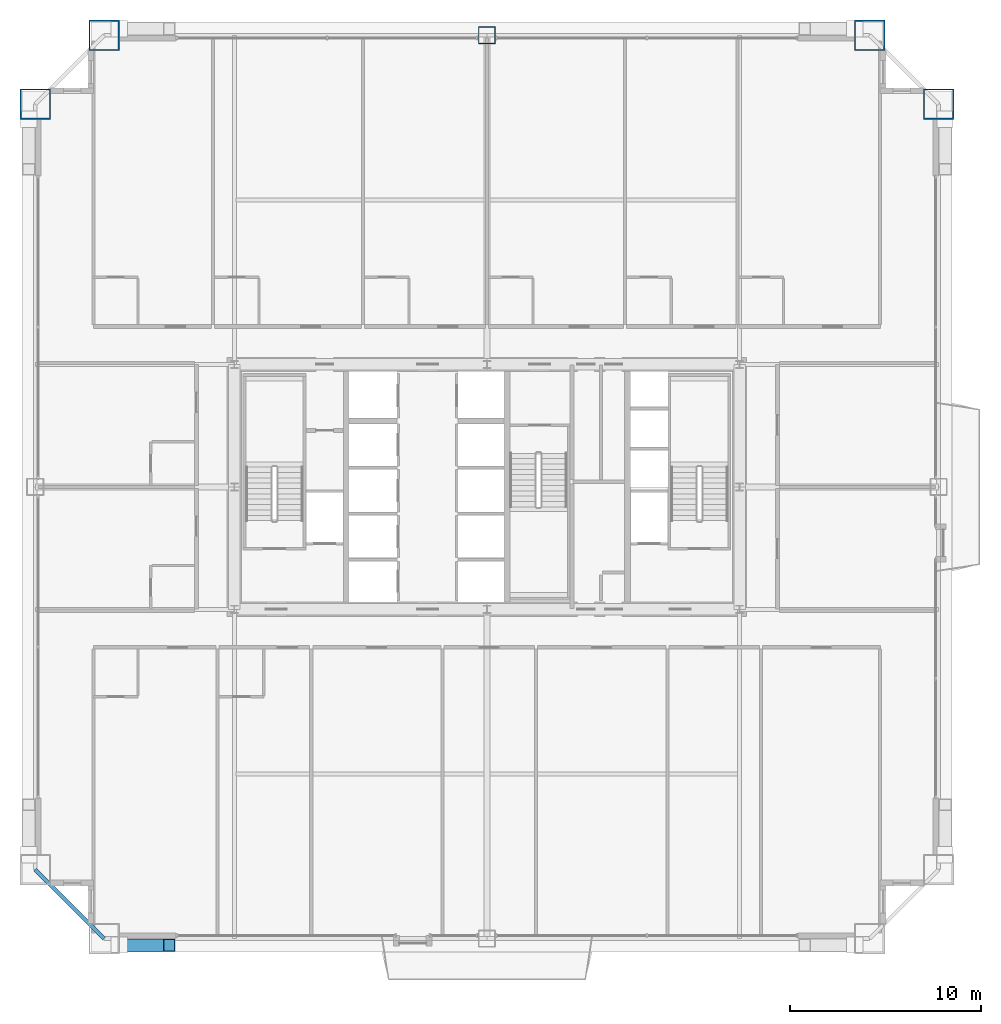
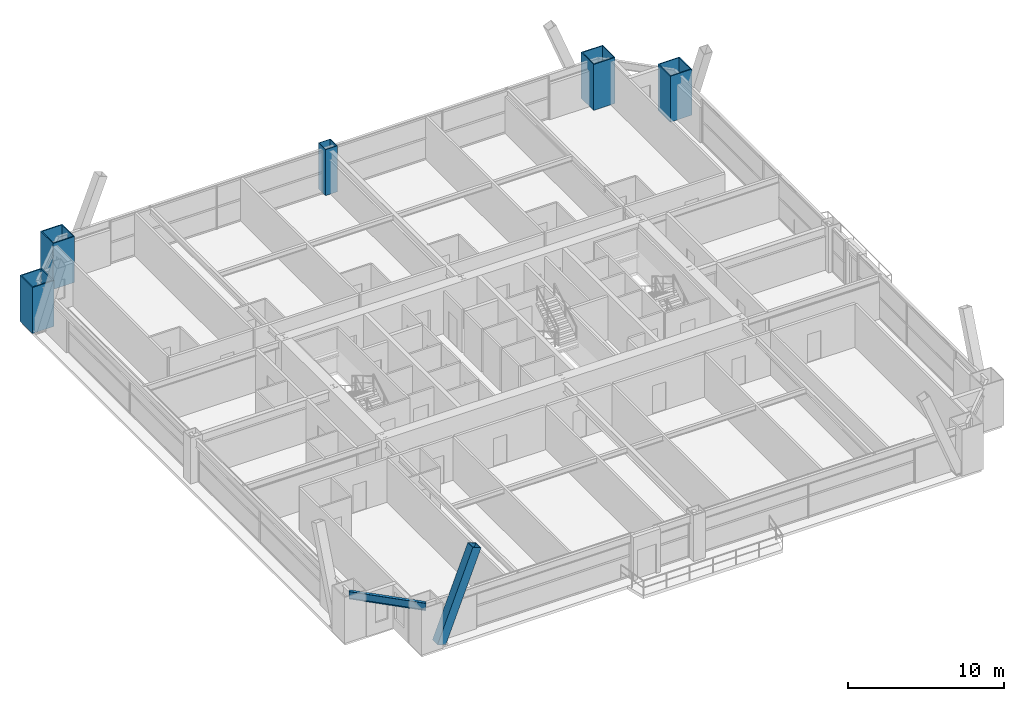
# One storey, part 3 of 43: 5 columns, 1 beam, 1 member.
"""IFC4 building model written with IfcOpenShell, lengths in metres."""

import ifcopenshell
import ifcopenshell.guid

model = None  # the IFC model being written
_history = None  # IfcOwnerHistory: only IFC2X3 demands one
_inside = {}  # id of a spatial element -> (the spatial element, [elements in it])
_under = {}  # id of a project, library or spatial element -> (it, [spatial elements below it])
_declared = {}  # id of a project -> (the project, [libraries it declares])
_typed = {}  # id of a type object -> (the type object, [elements of that type])
_made_of = {}  # id of a material, layer set ... -> (it, [elements and type objects made of it])


def new_model(schema):
    """Start an empty IFC model of exactly this schema.

    Asked for "IFC4X3", IfcOpenShell would pick the latest addendum, in which some entities
    have other attributes; the version numbers below select the first issue.
    IFC2X3 requires an IfcOwnerHistory on every rooted entity: one is made here for all.
    """
    global model, _history
    if schema == "IFC4X3":
        model = ifcopenshell.file(schema_version=(4, 3, 0, 0))
    else:
        model = ifcopenshell.file(schema=schema)
    _inside.clear()
    _under.clear()
    _declared.clear()
    _typed.clear()
    _made_of.clear()
    _history = None
    if model.schema == "IFC2X3":
        org = make("IfcOrganization", Name="unknown")
        user = make(
            "IfcPersonAndOrganization",
            ThePerson=make("IfcPerson", FamilyName="unknown"),
            TheOrganization=org,
        )
        app = make(
            "IfcApplication",
            ApplicationDeveloper=org,
            Version="unknown",
            ApplicationFullName="unknown",
            ApplicationIdentifier="unknown",
        )
        _history = make(
            "IfcOwnerHistory",
            OwningUser=user,
            OwningApplication=app,
            ChangeAction="ADDED",
            CreationDate=0,
        )
    return model


def make(cls, **values):
    """One entity of the class cls with the attributes given. An attribute that is None is left unset."""
    return model.create_entity(
        cls, **{name: value for name, value in values.items() if value is not None}
    )


def rooted(cls, **values):
    """An entity with a GlobalId (a new one), such as an element, a storey or a relation."""
    return make(cls, GlobalId=ifcopenshell.guid.new(), OwnerHistory=_history, **values)


def si_unit(unit_type, name, prefix=None):
    """IfcSIUnit, for example si_unit("LENGTHUNIT", "METRE", prefix="MILLI")."""
    return make("IfcSIUnit", UnitType=unit_type, Prefix=prefix, Name=name)


def assignment(units):
    """IfcUnitAssignment: the units of a project."""
    return None if units is None else make("IfcUnitAssignment", Units=units)


def point(xyz):
    """IfcCartesianPoint."""
    return None if xyz is None else make("IfcCartesianPoint", Coordinates=xyz)


def direction(xyz):
    """IfcDirection."""
    return None if xyz is None else make("IfcDirection", DirectionRatios=xyz)


def frame(location, z_axis=None, x_axis=None):
    """IfcAxis2Placement3D, a coordinate frame: its origin and axes. An axis left out is left unset."""
    return make(
        "IfcAxis2Placement3D",
        Location=point(location),
        Axis=direction(z_axis),
        RefDirection=direction(x_axis),
    )


def frame_2d(location, x_axis=None):
    """IfcAxis2Placement2D, a coordinate frame in the plane: its origin and x axis."""
    return make(
        "IfcAxis2Placement2D", Location=point(location), RefDirection=direction(x_axis)
    )


def origin():
    """The frame at (0, 0, 0) with its axes left unset."""
    return frame((0.0, 0.0, 0.0))


def origin_2d():
    """The frame at (0, 0) in the plane with its x axis left unset."""
    return frame_2d((0.0, 0.0))


def place(relative_to, where):
    """IfcLocalPlacement: puts the frame where relative to a parent placement (None: the world)."""
    return make(
        "IfcLocalPlacement", PlacementRelTo=relative_to, RelativePlacement=where
    )


def context(
    kind, dimensions, precision=None, world=None, true_north=None, identifier=None
):
    """IfcGeometricRepresentationContext, for example the 3D "Model" context."""
    return make(
        "IfcGeometricRepresentationContext",
        ContextIdentifier=identifier,
        ContextType=kind,
        CoordinateSpaceDimension=dimensions,
        Precision=precision,
        WorldCoordinateSystem=world,
        TrueNorth=true_north,
    )


def subcontext(parent, identifier, kind, view, scale=None):
    """IfcGeometricRepresentationSubContext, for example "Body" below "Model"."""
    return make(
        "IfcGeometricRepresentationSubContext",
        ContextIdentifier=identifier,
        ContextType=kind,
        ParentContext=parent,
        TargetScale=scale,
        TargetView=view,
    )


def project(units=None, contexts=None):
    """IfcProject with its units and contexts."""
    return rooted(
        "IfcProject",
        Name="project",
        RepresentationContexts=contexts,
        UnitsInContext=assignment(units),
    )


def spatial(cls, under=None, at=None, **own):
    """A site, building, storey or space (cls), placed at a placement, below another one or the project."""
    s = rooted(cls, ObjectPlacement=at, **own)
    if under is not None:
        _under.setdefault(under.id(), (under, []))[1].append(s)
    return s


def profile(cls, at=None, kind="AREA", **sizes):
    """A parametric profile (cls). Its sizes go by their IFC names, for example OverallWidth=200.0."""
    return make(cls, ProfileType=kind, Position=at, **sizes)


def hollow_rectangle(**sizes):
    """IfcRectangleHollowProfileDef."""
    return profile("IfcRectangleHollowProfileDef", **sizes)


def i_section(**sizes):
    """IfcIShapeProfileDef."""
    return profile("IfcIShapeProfileDef", **sizes)


def extrude(swept, where, along, depth):
    """IfcExtrudedAreaSolid: the profile swept, set in the frame where, extruded along a direction by depth."""
    return make(
        "IfcExtrudedAreaSolid",
        SweptArea=swept,
        Position=where,
        ExtrudedDirection=direction(along),
        Depth=depth,
    )


def shape(context_of_items, identifier, shape_type, items):
    """IfcShapeRepresentation: the items that make up one representation, for example the "Body"."""
    return make(
        "IfcShapeRepresentation",
        ContextOfItems=context_of_items,
        RepresentationIdentifier=identifier,
        RepresentationType=shape_type,
        Items=items,
    )


def source(mapping_origin, context_of_items, identifier, shape_type, items):
    """IfcRepresentationMap: a shape defined once, which mapped items show again and again."""
    return make(
        "IfcRepresentationMap",
        MappingOrigin=mapping_origin,
        MappedRepresentation=shape(context_of_items, identifier, shape_type, items),
    )


def transform(
    local_origin,
    x_axis=None,
    y_axis=None,
    z_axis=None,
    scale=None,
    scale2=None,
    scale3=None,
    uniform=True,
):
    """IfcCartesianTransformationOperator3D, or its non-uniform kind. x_axis, y_axis, z_axis: its Axis1, 2, 3."""
    if uniform:
        return make(
            "IfcCartesianTransformationOperator3D",
            Axis1=direction(x_axis),
            Axis2=direction(y_axis),
            LocalOrigin=point(local_origin),
            Scale=scale,
            Axis3=direction(z_axis),
        )
    return make(
        "IfcCartesianTransformationOperator3DnonUniform",
        Axis1=direction(x_axis),
        Axis2=direction(y_axis),
        LocalOrigin=point(local_origin),
        Scale=scale,
        Axis3=direction(z_axis),
        Scale2=scale2,
        Scale3=scale3,
    )


def mapped(mapping_source, mapping_target):
    """IfcMappedItem: shows the shape of a source again, moved by a transform."""
    return make(
        "IfcMappedItem", MappingSource=mapping_source, MappingTarget=mapping_target
    )


def material(Name=None, Category=None):
    """IfcMaterial."""
    return make("IfcMaterial", Name=Name, Category=Category)


def material_profile(
    of_material, cross_section, Name=None, Category=None, Priority=None
):
    """IfcMaterialProfile: a cross section and its material."""
    return make(
        "IfcMaterialProfile",
        Name=Name,
        Material=of_material,
        Profile=cross_section,
        Priority=Priority,
        Category=Category,
    )


def profile_set(profiles, Name=None, composite=None):
    """IfcMaterialProfileSet."""
    return make(
        "IfcMaterialProfileSet",
        Name=Name,
        MaterialProfiles=profiles,
        CompositeProfile=composite,
    )


def made_of(thing, what):
    """Note that an element or type object is made of a material, layer set ...; save() writes the relation."""
    if what is not None:
        _made_of.setdefault(what.id(), (what, []))[1].append(thing)
    return thing


def type_object(cls, material=None, **own):
    """A type object (cls), such as IfcWallType, which elements share."""
    return made_of(rooted(cls, **own), material)


def element(
    cls,
    number,
    at=None,
    inside=None,
    cuts=None,
    type_object=None,
    material=None,
    context=None,
    identifier="Body",
    shape_type=None,
    held_by="IfcProductDefinitionShape",
    body=None,
    shapes=None,
    **own,
):
    """One element of the class cls, such as IfcWall. Its Tag is "e" and its number.

    at: its placement. inside: the storey or other place that contains it. cuts: it is an
    opening in that element (IfcRelVoidsElement). A single representation is given by context,
    identifier, shape_type and body (its items); several are given by shapes. held_by: the class
    of the entity that holds the representations. save() writes the other relations.
    """
    e = rooted(cls, Tag="e%d" % number, ObjectPlacement=at, **own)
    if body is not None:
        shapes = [shape(context, identifier, shape_type, body)]
    if shapes is not None:
        e.Representation = make(held_by, Representations=shapes)
    if inside is not None:
        _inside.setdefault(inside.id(), (inside, []))[1].append(e)
    if cuts is not None:
        rooted(
            "IfcRelVoidsElement", RelatingBuildingElement=cuts, RelatedOpeningElement=e
        )
    if type_object is not None:
        _typed.setdefault(type_object.id(), (type_object, []))[1].append(e)
    return made_of(e, material)


def aggregate(whole, parts):
    """IfcRelAggregates: a whole, such as a stair, and the parts it consists of."""
    return rooted("IfcRelAggregates", RelatingObject=whole, RelatedObjects=parts)


def save(model, path):
    """Write the relations noted so far, then the file.

    IfcRelAggregates (storeys below a building ...), IfcRelContainedInSpatialStructure (elements
    in a storey), IfcRelDefinesByType, IfcRelAssociatesMaterial and IfcRelDeclares: one each for
    every whole, place, type object, material and project.
    """
    for whole, parts in _under.values():
        aggregate(whole, parts)
    for where, things in _inside.values():
        rooted(
            "IfcRelContainedInSpatialStructure",
            RelatedElements=things,
            RelatingStructure=where,
        )
    for kind, things in _typed.values():
        rooted("IfcRelDefinesByType", RelatedObjects=things, RelatingType=kind)
    for what, things in _made_of.values():
        rooted("IfcRelAssociatesMaterial", RelatedObjects=things, RelatingMaterial=what)
    for by, libraries in _declared.values():
        rooted("IfcRelDeclares", RelatingContext=by, RelatedDefinitions=libraries)
    model.write(path)


model = new_model("IFC4")

# Units and contexts
model_context = context("Model", 3, precision=1e-05, world=origin(), true_north=direction((0.0, 1.0)))
body_context = subcontext(model_context, "Body", "Model", "MODEL_VIEW")
ifc_project = project(units=[si_unit("LENGTHUNIT", "METRE"), si_unit("AREAUNIT", "SQUARE_METRE"), si_unit("VOLUMEUNIT", "CUBIC_METRE"), si_unit("PLANEANGLEUNIT", "RADIAN"), si_unit("MASSUNIT", "GRAM", prefix="KILO"), si_unit("THERMODYNAMICTEMPERATUREUNIT", "KELVIN"), si_unit("POWERUNIT", "WATT")], contexts=[model_context])

# Site, building, storey
site_placement = place(None, origin())
site = spatial("IfcSite", under=ifc_project, at=site_placement, CompositionType="ELEMENT")
building_placement = place(site_placement, origin())
building = spatial("IfcBuilding", under=site, at=building_placement, Name="Yuzanri Waterfront Tower", CompositionType="ELEMENT")
storey_placement = place(building_placement, frame((0.0, 0.0, 159.60009765625)))
storey = spatial("IfcBuildingStorey", under=building, at=storey_placement, Name="L42", CompositionType="ELEMENT", Elevation=159.60009765625)

# Columns
ifc_material_1 = material(Name="Steel Q390GJC", Category="steel")
ifc_material_profile_1 = material_profile(ifc_material_1, hollow_rectangle(XDim=0.89990234375, YDim=0.89990234375, WallThickness=0.0419921875, at=origin_2d()), Name="RHS 900x900x42")
ifc_profile_set_1 = profile_set([ifc_material_profile_1], Name="Steel Q390GJC")
column_type_1 = type_object("IfcColumnType", Name="Frame Column Q390GJC RHS 900x900x42", PredefinedType="COLUMN", material=ifc_profile_set_1)
shared_shape_1 = source(origin(), body_context, "Body", "SweptSolid", [
    extrude(hollow_rectangle(XDim=0.89990234375, YDim=0.89990234375, WallThickness=0.0419921875, at=origin_2d()), origin(), (0.0, 0.0, 1.0), 3.599853515625),
])
column_placement = place(storey_placement, frame((37.0, 49.39990234375, 0.0), z_axis=(0.0, 0.0, 1.0), x_axis=(1.0, 0.0, 0.0)))
element("IfcColumn", 1, at=column_placement, inside=storey, type_object=column_type_1, Name="L42 Perimeter Frame Column N2", PredefinedType="COLUMN", context=body_context, shape_type="MappedRepresentation", body=[
    mapped(shared_shape_1, transform((0.0, 0.0, 0.0), scale=1.0)),
])
ifc_material_2 = material(Name="Steel Q420GJC", Category="steel")
ifc_material_profile_2 = material_profile(ifc_material_2, hollow_rectangle(XDim=1.60009765625, YDim=1.60009765625, WallThickness=0.070068359375, at=origin_2d()), Name="RHS 1600x1600x70")
ifc_profile_set_2 = profile_set([ifc_material_profile_2], Name="Steel Q420GJC")
column_type_2 = type_object("IfcColumnType", Name="Mega Column Q420GJC RHS 1600x1600x70", PredefinedType="COLUMN", material=ifc_profile_set_2)
shared_shape_2 = source(origin(), body_context, "Body", "SweptSolid", [
    extrude(hollow_rectangle(XDim=1.60009765625, YDim=1.60009765625, WallThickness=0.070068359375, at=origin_2d()), origin(), (0.0, 0.0, 1.0), 3.599853515625),
])
for number, where, z_axis, x_axis, name in (
    (2, (17.0, 49.39990234375, 0.0), (0.0, 0.0, 1.0), (1.0, 0.0, 0.0), "L42 Perimeter Mega Column N1"),
    (3, (57.0, 49.39990234375, 0.0), (0.0, 0.0, 1.0), (1.0, 0.0, 0.0), "L42 Perimeter Mega Column N3"),
    (4, (13.39990234375, 45.800048828125, 0.0), (0.0, 0.0, 1.0), (1.0, 0.0, 0.0), "L42 Perimeter Mega Column W3"),
    (5, (60.60009765625, 45.800048828125, 0.0), (0.0, 0.0, 1.0), (1.0, 0.0, 0.0), "L42 Perimeter Mega Column E3"),
):
    element("IfcColumn", number, at=place(storey_placement, frame(where, z_axis=z_axis, x_axis=x_axis)), inside=storey, type_object=column_type_2, Name=name, PredefinedType="COLUMN", context=body_context, shape_type="MappedRepresentation", body=[
        mapped(shared_shape_2, transform((0.0, 0.0, 0.0), scale=1.0)),
    ])

# Beam
ifc_material_3 = material(Name="Steel Q355B", Category="steel")
ifc_material_profile_3 = material_profile(ifc_material_3, i_section(OverallWidth=0.199951171875, OverallDepth=0.60009765625, WebThickness=0.010986328125, FlangeThickness=0.01708984375, at=origin_2d()), Name="HN 600x200x11x17")
ifc_profile_set_3 = profile_set([ifc_material_profile_3], Name="Steel Q355B")
beam_type = type_object("IfcBeamType", Name="Perimeter Spandrel Q355B HN 600x200", PredefinedType="SPANDREL", material=ifc_profile_set_3)
shared_shape_3 = source(origin(), body_context, "Body", "SweptSolid", [
    extrude(i_section(OverallWidth=0.199951171875, OverallDepth=0.60009765625, WebThickness=0.010986328125, FlangeThickness=0.01708984375, at=origin_2d()), origin(), (0.0, 0.0, 1.0), 5.09130859375),
])
beam_placement = place(storey_placement, frame((13.39990234375, 5.800048828125, 3.079833984375), z_axis=(0.707106781187, -0.707106781187, 0.0), x_axis=(0.707106781187, 0.707106781187, 0.0)))
element("IfcBeam", 6, at=beam_placement, inside=storey, type_object=beam_type, Name="L42 Perimeter Spandrel W1-S1", PredefinedType="SPANDREL", context=body_context, shape_type="MappedRepresentation", body=[
    mapped(shared_shape_3, transform((0.0, 0.0, 0.0), scale=1.0)),
])

# Member
ifc_material_4 = material(Name="Steel Q420GJC", Category="steel")
ifc_material_profile_4 = material_profile(ifc_material_4, hollow_rectangle(XDim=0.64990234375, YDim=0.64990234375, WallThickness=0.028076171875, at=origin_2d()), Name="RHS 650x650x28")
ifc_profile_set_4 = profile_set([ifc_material_profile_4], Name="Steel Q420GJC")
member_type = type_object("IfcMemberType", Name="Mega Brace Lower Q420GJC RHS 650x650x28", PredefinedType="BRACE", material=ifc_profile_set_4)
shared_shape_4 = source(origin(), body_context, "Body", "SweptSolid", [
    extrude(hollow_rectangle(XDim=0.64990234375, YDim=0.64990234375, WallThickness=0.028076171875, at=origin_2d()), origin(), (0.0, 0.0, 1.0), 7.19384765625),
])
member_placement = place(storey_placement, frame((17.780029296875, 1.860107421875, 0.179931640625), z_axis=(0.36417668996, 0.0, 0.9313298763), x_axis=(0.0, 1.0, 0.0)))
element("IfcMember", 7, at=member_placement, inside=storey, type_object=member_type, Name="L42-L43 Perimeter Mega-Brace S-L", PredefinedType="BRACE", context=body_context, shape_type="MappedRepresentation", body=[
    mapped(shared_shape_4, transform((0.0, 0.0, 0.0), scale=1.0)),
])

save(model, "model.ifc")
